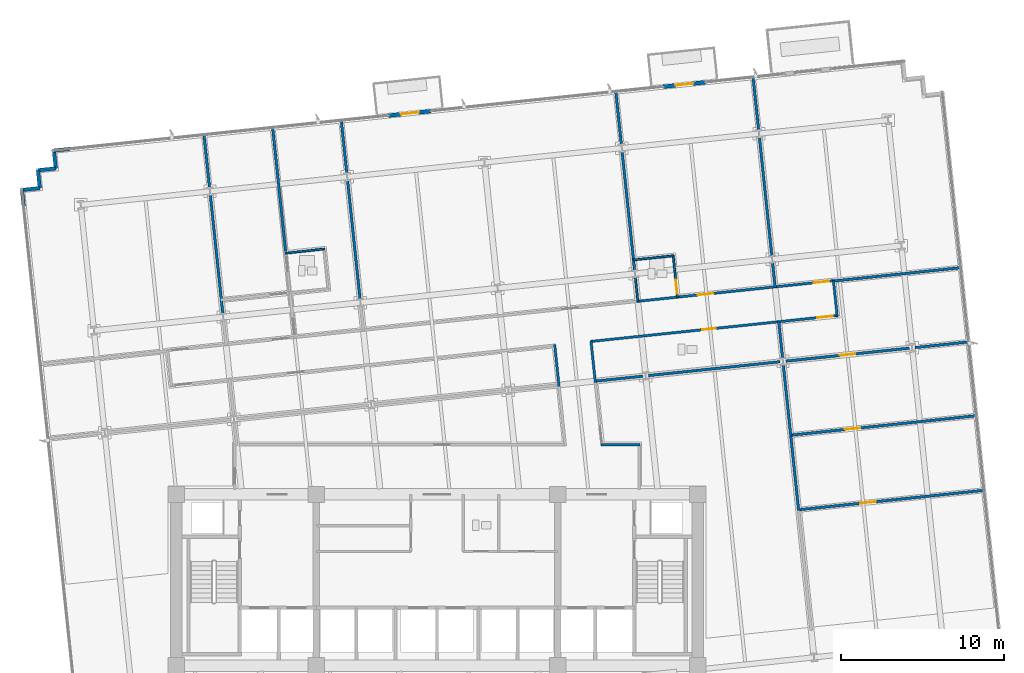
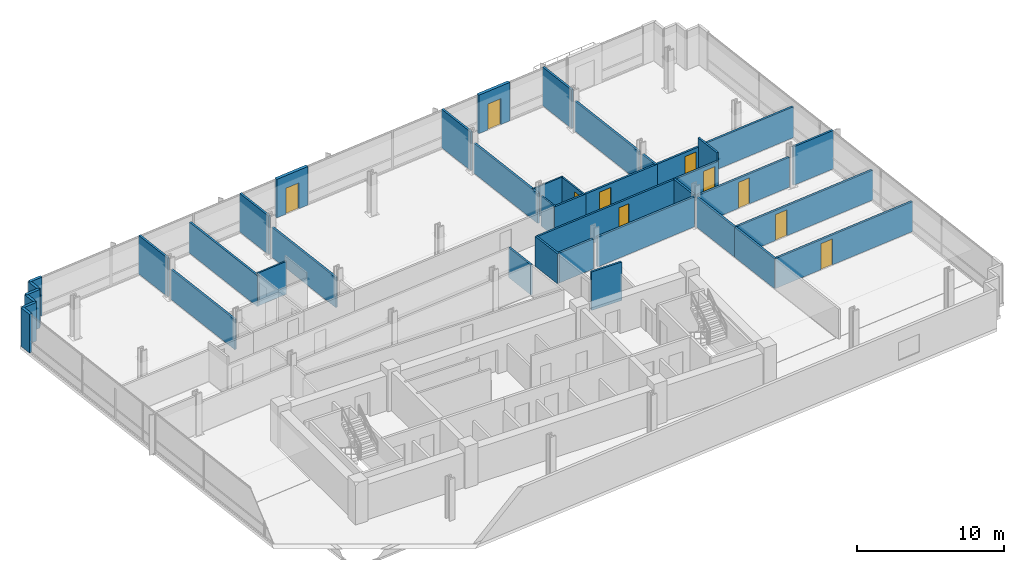
# One storey, part 15 of 21: 41 walls, 10 doors, 10 openings.
"""IFC4 building model written with IfcOpenShell, lengths in metres."""

from ifc_helpers import new_model, si_unit, direction, frame, frame_2d, origin, place, context, subcontext, project, spatial, rectangle, extrude, material, layer, layer_set, type_object, element, fill, save


model = new_model("IFC4")

# Units and contexts
model_context = context("Model", 3, precision=1e-05, world=origin(), true_north=direction((0.0, 1.0)))
body_context = subcontext(model_context, "Body", "Model", "MODEL_VIEW")
ifc_project = project(units=[si_unit("LENGTHUNIT", "METRE"), si_unit("AREAUNIT", "SQUARE_METRE"), si_unit("VOLUMEUNIT", "CUBIC_METRE"), si_unit("PLANEANGLEUNIT", "RADIAN"), si_unit("MASSUNIT", "GRAM", prefix="KILO")], contexts=[model_context])

# Site, building, storey
site_placement = place(None, origin())
site = spatial("IfcSite", under=ifc_project, at=site_placement, CompositionType="ELEMENT")
building_placement = place(site_placement, origin())
building = spatial("IfcBuilding", under=site, at=building_placement, Name="Solmavex Isthmus Hotel", CompositionType="ELEMENT")
storey_placement = place(building_placement, frame((0.0, 0.0, 106.35009765625)))
storey = spatial("IfcBuildingStorey", under=building, at=storey_placement, Name="L28", CompositionType="ELEMENT", Elevation=106.35009765625)

# Wall, opening, door
ifc_material_1 = material(Name="Precast Concrete C40/50", Category="concrete")
ifc_layer_1 = layer(ifc_material_1, 0.25)
ifc_layer_set_1 = layer_set([ifc_layer_1], Name="Precast Concrete C40/50")
wall_type_1 = type_object("IfcWallType", Name="EW-TWR-250", PredefinedType="STANDARD", material=ifc_layer_set_1)
wall_1_placement = place(storey_placement, frame((-2.95458984375, 20.744140625, 0.0), z_axis=(0.0, 0.0, 1.0), x_axis=(0.994523446942, 0.104513699976, 0.0)))
wall_1 = element("IfcWall", 1, at=wall_1_placement, inside=storey, type_object=wall_type_1, Name="Exterior Balcony Door Wall L28-2", PredefinedType="STANDARD", context=body_context, shape_type="SweptSolid", body=[
    extrude(rectangle(XDim=2.599853515625, YDim=0.239990234375, at=frame_2d((1.2998046875, 0.0))), origin(), (0.0, 0.0, 1.0), 3.18994140625),
])
opening_1_placement = place(wall_1_placement, frame((0.75, 0.0, 0.0)))
opening_1 = element("IfcOpeningElement", 2, at=opening_1_placement, cuts=wall_1, Name="Opening ED-02", PredefinedType="OPENING", context=body_context, shape_type="SweptSolid", body=[
    extrude(rectangle(XDim=1.10009765625, YDim=2.14990234375, at=frame_2d((0.550048828125, 1.074951171875))), frame((0.0, 0.1298828125, 0.0), z_axis=(0.0, -1.0, 0.0), x_axis=(1.0, 0.0, 0.0)), (0.0, 0.0, 1.0), 0.260009765625),
])
ifc_material_2 = material(Name="Aluminium alloy 6063-T6", Category="aluminium")
door_type_1 = type_object("IfcDoorType", Name="EDR-BALC-1100", OperationType="NOTDEFINED", PredefinedType="DOOR", material=ifc_material_2)
door_1_placement = place(opening_1_placement, origin())
door_1 = element("IfcDoor", 3, at=door_1_placement, inside=storey, type_object=door_type_1, Name="Balcony & Terrace Glazed Door L28-2", OperationType="SINGLE_SWING_RIGHT", OverallHeight=2.14990234375, OverallWidth=1.10009765625, PredefinedType="DOOR", context=body_context, shape_type="SweptSolid", body=[
    extrude(rectangle(XDim=1.10009765625, YDim=2.14990234375, at=frame_2d((0.550048828125, 1.074951171875))), frame((0.0, 0.02490234375, 0.0), z_axis=(0.0, -1.0, 0.0), x_axis=(1.0, 0.0, 0.0)), (0.0, 0.0, 1.0), 0.050048828125),
])
fill(opening_1, door_1)

wall_2_placement = place(storey_placement, frame((13.884765625, 22.513916015625, 0.0), z_axis=(0.0, 0.0, 1.0), x_axis=(0.994523446942, 0.104513699976, 0.0)))
wall_2 = element("IfcWall", 4, at=wall_2_placement, inside=storey, type_object=wall_type_1, Name="Exterior Balcony Door Wall L28-3", PredefinedType="STANDARD", context=body_context, shape_type="SweptSolid", body=[
    extrude(rectangle(XDim=2.599853515625, YDim=0.239990234375, at=frame_2d((1.2998046875, 0.0))), origin(), (0.0, 0.0, 1.0), 3.18994140625),
])
opening_2_placement = place(wall_2_placement, frame((0.75, 0.0, 0.0)))
opening_2 = element("IfcOpeningElement", 5, at=opening_2_placement, cuts=wall_2, Name="Opening ED-02", PredefinedType="OPENING", context=body_context, shape_type="SweptSolid", body=[
    extrude(rectangle(XDim=1.10009765625, YDim=2.14990234375, at=frame_2d((0.550048828125, 1.074951171875))), frame((0.0, 0.1298828125, 0.0), z_axis=(0.0, -1.0, 0.0), x_axis=(1.0, 0.0, 0.0)), (0.0, 0.0, 1.0), 0.260009765625),
])
door_2_placement = place(opening_2_placement, origin())
door_2 = element("IfcDoor", 6, at=door_2_placement, inside=storey, type_object=door_type_1, Name="Balcony & Terrace Glazed Door L28-3", OperationType="SINGLE_SWING_LEFT", OverallHeight=2.14990234375, OverallWidth=1.10009765625, PredefinedType="DOOR", context=body_context, shape_type="SweptSolid", body=[
    extrude(rectangle(XDim=1.10009765625, YDim=2.14990234375, at=frame_2d((0.550048828125, 1.074951171875))), frame((0.0, 0.02490234375, 0.0), z_axis=(0.0, -1.0, 0.0), x_axis=(1.0, 0.0, 0.0)), (0.0, 0.0, 1.0), 0.050048828125),
])
fill(opening_2, door_2)

# Walls
wall_3_placement = place(storey_placement, frame((-25.35400390625, 15.1923828125, 0.0), z_axis=(0.0, 0.0, 1.0), x_axis=(-0.104556418955, 0.99451895671, 0.0)))
element("IfcWall", 7, at=wall_3_placement, inside=storey, type_object=wall_type_1, Name="Serrated Corner Facade Panel L28-07", PredefinedType="STANDARD", context=body_context, shape_type="SweptSolid", body=[
    extrude(rectangle(XDim=0.989990234375, YDim=0.219970703125, at=frame_2d((0.4951171875, 0.0))), origin(), (0.0, 0.0, 1.0), 3.18994140625),
])
wall_4_placement = place(storey_placement, frame((-25.45751953125, 16.177001953125, 0.0), z_axis=(0.0, 0.0, 1.0), x_axis=(0.994521251134, 0.104534592565, 0.0)))
element("IfcWall", 8, at=wall_4_placement, inside=storey, type_object=wall_type_1, Name="Serrated Corner Facade Panel L28-08", PredefinedType="STANDARD", context=body_context, shape_type="SweptSolid", body=[
    extrude(rectangle(XDim=1.10009765625, YDim=0.219970703125, at=frame_2d((0.550048828125, 0.0))), origin(), (0.0, 0.0, 1.0), 3.18994140625),
])
wall_5_placement = place(storey_placement, frame((-24.363525390625, 16.2919921875, 0.0), z_axis=(0.0, 0.0, 1.0), x_axis=(-0.104557671117, 0.994518825066, 0.0)))
element("IfcWall", 9, at=wall_5_placement, inside=storey, type_object=wall_type_1, Name="Serrated Corner Facade Panel L28-09", PredefinedType="STANDARD", context=body_context, shape_type="SweptSolid", body=[
    extrude(rectangle(XDim=1.099853515625, YDim=0.219970703125, at=frame_2d((0.5498046875, 0.0))), origin(), (0.0, 0.0, 1.0), 3.18994140625),
])
for number, where, z_axis, x_axis, name in (
    (10, (-24.478515625, 17.3857421875, 0.0), (0.0, 0.0, 1.0), (0.994521251134, 0.104534592565, 0.0), "Serrated Corner Facade Panel L28-10"),
    (11, (-23.384521484375, 17.500732421875, 0.0), (0.0, 0.0, 1.0), (-0.104534592565, 0.994521251134, 0.0), "Serrated Corner Facade Panel L28-11"),
):
    element("IfcWall", number, at=place(storey_placement, frame(where, z_axis=z_axis, x_axis=x_axis)), inside=storey, type_object=wall_type_1, Name=name, PredefinedType="STANDARD", context=body_context, shape_type="SweptSolid", body=[
        extrude(rectangle(XDim=1.10009765625, YDim=0.219970703125, at=frame_2d((0.550048828125, 0.0))), origin(), (0.0, 0.0, 1.0), 3.18994140625),
    ])
wall_6_placement = place(storey_placement, frame((-23.49951171875, 18.5947265625, 0.0), z_axis=(0.0, 0.0, 1.0), x_axis=(0.99451895671, 0.104556418955, 0.0)))
element("IfcWall", 12, at=wall_6_placement, inside=storey, type_object=wall_type_1, Name="Serrated Corner Facade Panel L28-12", PredefinedType="STANDARD", context=body_context, shape_type="SweptSolid", body=[
    extrude(rectangle(XDim=0.989990234375, YDim=0.219970703125, at=frame_2d((0.4951171875, 0.0))), origin(), (0.0, 0.0, 1.0), 3.18994140625),
])
ifc_material_3 = material(Name="Gypsum plasterboard lining", Category="gypsum")
ifc_layer_2 = layer(ifc_material_3, 0.159912109375)
ifc_layer_set_2 = layer_set([ifc_layer_2], Name="Gypsum plasterboard lining")
wall_type_2 = type_object("IfcWallType", Name="IW-COMP-160", PredefinedType="PARTITIONING", material=ifc_layer_set_2)
wall_7_placement = place(storey_placement, frame((-13.908935546875, 15.91650390625, 0.0), z_axis=(0.0, 0.0, 1.0), x_axis=(0.104523341075, -0.994522433719, 0.0)))
element("IfcWall", 13, at=wall_7_placement, inside=storey, type_object=wall_type_2, Name="Interior Partition Wall W-L28-P022", PredefinedType="PARTITIONING", context=body_context, shape_type="SweptSolid", body=[
    extrude(rectangle(XDim=7.399658203125, YDim=0.159912109375, at=frame_2d((3.69970703125, 0.0))), origin(), (0.0, 0.0, 1.0), 2.4794921875),
])
wall_8_placement = place(storey_placement, frame((-14.29541015625, 19.59228515625, 0.0), z_axis=(0.0, 0.0, 1.0), x_axis=(0.10455555946, -0.99451904707, 0.0)))
element("IfcWall", 14, at=wall_8_placement, inside=storey, type_object=wall_type_2, Name="Interior Partition Wall W-L28-P024", PredefinedType="PARTITIONING", context=body_context, shape_type="SweptSolid", body=[
    extrude(rectangle(XDim=3.34375, YDim=0.159912109375, at=frame_2d((1.671875, 0.0))), origin(), (0.0, 0.0, 1.0), 3.18994140625),
])
wall_9_placement = place(storey_placement, frame((-10.08544921875, 20.034912109375, 0.0), z_axis=(0.0, 0.0, 1.0), x_axis=(0.104523139328, -0.994522454922, 0.0)))
element("IfcWall", 15, at=wall_9_placement, inside=storey, type_object=wall_type_2, Name="Interior Partition Wall W-L28-P029", PredefinedType="PARTITIONING", context=body_context, shape_type="SweptSolid", body=[
    extrude(rectangle(XDim=7.862060546875, YDim=0.159912109375, at=frame_2d((3.93115234375, 0.0))), origin(), (0.0, 0.0, 1.0), 2.55322265625),
])
wall_10_placement = place(storey_placement, frame((-5.875732421875, 20.477294921875, 0.0), z_axis=(0.0, 0.0, 1.0), x_axis=(0.10455555946, -0.99451904707, 0.0)))
element("IfcWall", 16, at=wall_10_placement, inside=storey, type_object=wall_type_2, Name="Interior Partition Wall W-L28-P034", PredefinedType="PARTITIONING", context=body_context, shape_type="SweptSolid", body=[
    extrude(rectangle(XDim=3.34375, YDim=0.159912109375, at=frame_2d((1.671875, 0.0))), origin(), (0.0, 0.0, 1.0), 3.18994140625),
])
wall_11_placement = place(storey_placement, frame((-5.4892578125, 16.80126953125, 0.0), z_axis=(0.0, 0.0, 1.0), x_axis=(0.104526770886, -0.994522073243, 0.0)))
element("IfcWall", 17, at=wall_11_placement, inside=storey, type_object=wall_type_2, Name="Interior Partition Wall W-L28-P035", PredefinedType="PARTITIONING", context=body_context, shape_type="SweptSolid", body=[
    extrude(rectangle(XDim=7.3994140625, YDim=0.159912109375, at=frame_2d((3.69970703125, 0.0))), origin(), (0.0, 0.0, 1.0), 2.4794921875),
])
wall_12_placement = place(storey_placement, frame((10.963623046875, 22.2470703125, 0.0), z_axis=(0.0, 0.0, 1.0), x_axis=(0.10448334315, -0.994526636649, 0.0)))
element("IfcWall", 18, at=wall_12_placement, inside=storey, type_object=wall_type_2, Name="Interior Partition Wall W-L28-P037", PredefinedType="PARTITIONING", context=body_context, shape_type="SweptSolid", body=[
    extrude(rectangle(XDim=3.34375, YDim=0.159912109375, at=frame_2d((1.671875, 0.0))), origin(), (0.0, 0.0, 1.0), 3.18994140625),
])
wall_13_placement = place(storey_placement, frame((11.349853515625, 18.5712890625, 0.0), z_axis=(0.0, 0.0, 1.0), x_axis=(0.104523341075, -0.994522433719, 0.0)))
element("IfcWall", 19, at=wall_13_placement, inside=storey, type_object=wall_type_2, Name="Interior Partition Wall W-L28-P038", PredefinedType="PARTITIONING", context=body_context, shape_type="SweptSolid", body=[
    extrude(rectangle(XDim=7.399658203125, YDim=0.159912109375, at=frame_2d((3.69970703125, 0.0))), origin(), (0.0, 0.0, 1.0), 2.4794921875),
])
wall_14_placement = place(storey_placement, frame((19.383056640625, 23.132080078125, 0.0), z_axis=(0.0, 0.0, 1.0), x_axis=(0.10455555946, -0.99451904707, 0.0)))
element("IfcWall", 20, at=wall_14_placement, inside=storey, type_object=wall_type_2, Name="Interior Partition Wall W-L28-P042", PredefinedType="PARTITIONING", context=body_context, shape_type="SweptSolid", body=[
    extrude(rectangle(XDim=3.34375, YDim=0.159912109375, at=frame_2d((1.671875, 0.0))), origin(), (0.0, 0.0, 1.0), 3.18994140625),
])
wall_15_placement = place(storey_placement, frame((19.76953125, 19.456298828125, 0.0), z_axis=(0.0, 0.0, 1.0), x_axis=(0.104523341075, -0.994522433719, 0.0)))
element("IfcWall", 21, at=wall_15_placement, inside=storey, type_object=wall_type_2, Name="Interior Partition Wall W-L28-P043", PredefinedType="PARTITIONING", context=body_context, shape_type="SweptSolid", body=[
    extrude(rectangle(XDim=7.399658203125, YDim=0.159912109375, at=frame_2d((3.69970703125, 0.0))), origin(), (0.0, 0.0, 1.0), 2.4794921875),
])
wall_16_placement = place(storey_placement, frame((20.579833984375, 11.74658203125, 0.0), z_axis=(0.0, 0.0, 1.0), x_axis=(0.104578999325, -0.994516582516, 0.0)))
element("IfcWall", 22, at=wall_16_placement, inside=storey, type_object=wall_type_2, Name="Interior Partition Wall W-L28-P044", PredefinedType="PARTITIONING", context=body_context, shape_type="SweptSolid", body=[
    extrude(rectangle(XDim=1.561767578125, YDim=0.159912109375, at=frame_2d((0.78076171875, 0.0))), origin(), (0.0, 0.0, 1.0), 2.4794921875),
])
wall_17_placement = place(storey_placement, frame((32.166015625, 11.4140625, 0.0), z_axis=(0.0, 0.0, 1.0), x_axis=(-0.994522987852, -0.104518068455, 0.0)))
element("IfcWall", 23, at=wall_17_placement, inside=storey, type_object=wall_type_2, Name="Interior Partition Wall W-L28-P045", PredefinedType="PARTITIONING", context=body_context, shape_type="SweptSolid", body=[
    extrude(rectangle(XDim=7.927978515625, YDim=0.159912109375, at=frame_2d((3.9638671875, 0.0))), origin(), (0.0, 0.0, 1.0), 2.55322265625),
])
wall_18_placement = place(storey_placement, frame((20.95947265625, 8.134765625, 0.0), z_axis=(0.0, 0.0, 1.0), x_axis=(0.104558463094, -0.994518741802, 0.0)))
element("IfcWall", 24, at=wall_18_placement, inside=storey, type_object=wall_type_2, Name="Interior Partition Wall W-L28-P046", PredefinedType="PARTITIONING", context=body_context, shape_type="SweptSolid", body=[
    extrude(rectangle(XDim=2.31396484375, YDim=0.159912109375, at=frame_2d((1.156982421875, 0.0))), origin(), (0.0, 0.0, 1.0), 2.4794921875),
])
wall_19_placement = place(storey_placement, frame((12.625, 4.755126953125, 0.0), z_axis=(0.0, 0.0, 1.0), x_axis=(-0.994518476722, -0.1045609844, 0.0)))
element("IfcWall", 25, at=wall_19_placement, inside=storey, type_object=wall_type_2, Name="Interior Partition Wall W-L28-P047", PredefinedType="PARTITIONING", context=body_context, shape_type="SweptSolid", body=[
    extrude(rectangle(XDim=2.97705078125, YDim=0.159912109375, at=frame_2d((1.488525390625, 0.0))), origin(), (0.0, 0.0, 1.0), 2.4794921875),
])
wall_20_placement = place(storey_placement, frame((21.04443359375, 5.639892578125, 0.0), z_axis=(0.0, 0.0, 1.0), x_axis=(-0.994521269983, -0.104534413238, 0.0)))
element("IfcWall", 26, at=wall_20_placement, inside=storey, type_object=wall_type_2, Name="Interior Partition Wall W-L28-P048", PredefinedType="PARTITIONING", context=body_context, shape_type="SweptSolid", body=[
    extrude(rectangle(XDim=8.113525390625, YDim=0.159912109375, at=frame_2d((4.056640625, 0.0))), origin(), (0.0, 0.0, 1.0), 2.4794921875),
])

# Wall, opening, door
wall_21_placement = place(storey_placement, frame((28.96875, 6.472900390625, 0.0), z_axis=(0.0, 0.0, 1.0), x_axis=(-0.994520374185, -0.104542935343, 0.0)))
wall_21 = element("IfcWall", 27, at=wall_21_placement, inside=storey, type_object=wall_type_2, Name="Interior Partition Wall W-L28-P052", PredefinedType="PARTITIONING", context=body_context, shape_type="SweptSolid", body=[
    extrude(rectangle(XDim=7.615478515625, YDim=0.159912109375, at=frame_2d((3.8076171875, 0.0))), origin(), (0.0, 0.0, 1.0), 2.4794921875),
])
opening_3_placement = place(wall_21_placement, frame((3.332763671875, 0.0, 0.0)))
opening_3 = element("IfcOpeningElement", 28, at=opening_3_placement, cuts=wall_21, Name="Opening ID-C095", PredefinedType="OPENING", context=body_context, shape_type="SweptSolid", body=[
    extrude(rectangle(XDim=0.949951171875, YDim=2.14990234375, at=frame_2d((0.47509765625, 1.074951171875))), frame((0.0, 0.08984375, 0.0), z_axis=(0.0, -1.0, 0.0), x_axis=(1.0, 0.0, 0.0)), (0.0, 0.0, 1.0), 0.179931640625),
])
ifc_material_4 = material(Name="Hardwood timber", Category="wood")
door_type_2 = type_object("IfcDoorType", Name="IDR-FD60-0950", OperationType="NOTDEFINED", PredefinedType="DOOR", material=ifc_material_4)
door_3_placement = place(opening_3_placement, frame((0.949951171875, 0.0, 0.0), z_axis=(0.0, 0.0, 1.0), x_axis=(-1.0, 0.0, 0.0)))
door_3 = element("IfcDoor", 29, at=door_3_placement, inside=storey, type_object=door_type_2, Name="Corporate Briefing Office Door L28-14", OperationType="SINGLE_SWING_RIGHT", OverallHeight=2.14990234375, OverallWidth=0.949951171875, PredefinedType="DOOR", context=body_context, shape_type="SweptSolid", body=[
    extrude(rectangle(XDim=0.949951171875, YDim=2.14990234375, at=frame_2d((0.47509765625, 1.074951171875))), frame((0.0, 0.02490234375, 0.0), z_axis=(0.0, -1.0, 0.0), x_axis=(1.0, 0.0, 0.0)), (0.0, 0.0, 1.0), 0.050048828125),
])
fill(opening_3, door_3)

# Wall
wall_22_placement = place(storey_placement, frame((32.644775390625, 6.859130859375, 0.0), z_axis=(0.0, 0.0, 1.0), x_axis=(-0.994526636649, -0.10448334315, 0.0)))
element("IfcWall", 30, at=wall_22_placement, inside=storey, type_object=wall_type_2, Name="Interior Partition Wall W-L28-P053", PredefinedType="PARTITIONING", context=body_context, shape_type="SweptSolid", body=[
    extrude(rectangle(XDim=3.34375, YDim=0.159912109375, at=frame_2d((1.671875, 0.0))), origin(), (0.0, 0.0, 1.0), 3.18994140625),
])

# Wall, opening, door
wall_23_placement = place(storey_placement, frame((33.120361328125, 2.334228515625, 0.0), z_axis=(0.0, 0.0, 1.0), x_axis=(-0.994521223619, -0.104534854339, 0.0)))
wall_23 = element("IfcWall", 31, at=wall_23_placement, inside=storey, type_object=wall_type_2, Name="Interior Partition Wall W-L28-P057", PredefinedType="PARTITIONING", context=body_context, shape_type="SweptSolid", body=[
    extrude(rectangle(XDim=11.528076171875, YDim=0.159912109375, at=frame_2d((5.76416015625, 0.0))), origin(), (0.0, 0.0, 1.0), 2.4794921875),
])
opening_4_placement = place(wall_23_placement, frame((7.21240234375, 0.0, 0.0)))
opening_4 = element("IfcOpeningElement", 32, at=opening_4_placement, cuts=wall_23, Name="Opening ID-C095", PredefinedType="OPENING", context=body_context, shape_type="SweptSolid", body=[
    extrude(rectangle(XDim=0.949951171875, YDim=2.14990234375, at=frame_2d((0.47509765625, 1.074951171875))), frame((0.0, 0.08984375, 0.0), z_axis=(0.0, -1.0, 0.0), x_axis=(1.0, 0.0, 0.0)), (0.0, 0.0, 1.0), 0.179931640625),
])
door_4_placement = place(opening_4_placement, origin())
door_4 = element("IfcDoor", 33, at=door_4_placement, inside=storey, type_object=door_type_2, Name="Corporate Briefing Office Door L28-15", OperationType="SINGLE_SWING_LEFT", OverallHeight=2.14990234375, OverallWidth=0.949951171875, PredefinedType="DOOR", context=body_context, shape_type="SweptSolid", body=[
    extrude(rectangle(XDim=0.949951171875, YDim=2.14990234375, at=frame_2d((0.47509765625, 1.074951171875))), frame((0.0, 0.02490234375, 0.0), z_axis=(0.0, -1.0, 0.0), x_axis=(1.0, 0.0, 0.0)), (0.0, 0.0, 1.0), 0.050048828125),
])
fill(opening_4, door_4)

# Wall
wall_24_placement = place(storey_placement, frame((21.699462890625, 1.093505859375, 0.0), z_axis=(0.0, 0.0, 1.0), x_axis=(-0.104540819113, 0.994520596639, 0.0)))
element("IfcWall", 34, at=wall_24_placement, inside=storey, type_object=wall_type_2, Name="Interior Partition Wall W-L28-P058", PredefinedType="PARTITIONING", context=body_context, shape_type="SweptSolid", body=[
    extrude(rectangle(XDim=4.413818359375, YDim=0.159912109375, at=frame_2d((2.20703125, 0.0))), origin(), (0.0, 0.0, 1.0), 2.4794921875),
])

# Wall, opening, door
wall_25_placement = place(storey_placement, frame((33.601318359375, -2.24072265625, 0.0), z_axis=(0.0, 0.0, 1.0), x_axis=(-0.994521223619, -0.104534854339, 0.0)))
wall_25 = element("IfcWall", 35, at=wall_25_placement, inside=storey, type_object=wall_type_2, Name="Interior Partition Wall W-L28-P059", PredefinedType="PARTITIONING", context=body_context, shape_type="SweptSolid", body=[
    extrude(rectangle(XDim=11.528076171875, YDim=0.159912109375, at=frame_2d((5.76416015625, 0.0))), origin(), (0.0, 0.0, 1.0), 2.4794921875),
])
opening_5_placement = place(wall_25_placement, frame((6.7314453125, 0.0, 0.0)))
opening_5 = element("IfcOpeningElement", 36, at=opening_5_placement, cuts=wall_25, Name="Opening ID-C095", PredefinedType="OPENING", context=body_context, shape_type="SweptSolid", body=[
    extrude(rectangle(XDim=0.949951171875, YDim=2.14990234375, at=frame_2d((0.47509765625, 1.074951171875))), frame((0.0, 0.08984375, 0.0), z_axis=(0.0, -1.0, 0.0), x_axis=(1.0, 0.0, 0.0)), (0.0, 0.0, 1.0), 0.179931640625),
])
door_5_placement = place(opening_5_placement, frame((0.949951171875, 0.0, 0.0), z_axis=(0.0, 0.0, 1.0), x_axis=(-1.0, 0.0, 0.0)))
door_5 = element("IfcDoor", 37, at=door_5_placement, inside=storey, type_object=door_type_2, Name="Corporate Briefing Office Door L28-18", OperationType="SINGLE_SWING_RIGHT", OverallHeight=2.14990234375, OverallWidth=0.949951171875, PredefinedType="DOOR", context=body_context, shape_type="SweptSolid", body=[
    extrude(rectangle(XDim=0.949951171875, YDim=2.14990234375, at=frame_2d((0.47509765625, 1.074951171875))), frame((0.0, 0.02490234375, 0.0), z_axis=(0.0, -1.0, 0.0), x_axis=(1.0, 0.0, 0.0)), (0.0, 0.0, 1.0), 0.050048828125),
])
fill(opening_5, door_5)

# Wall
wall_26_placement = place(storey_placement, frame((22.180419921875, -3.481201171875, 0.0), z_axis=(0.0, 0.0, 1.0), x_axis=(-0.104543574031, 0.994520307047, 0.0)))
element("IfcWall", 38, at=wall_26_placement, inside=storey, type_object=wall_type_2, Name="Interior Partition Wall W-L28-P060", PredefinedType="PARTITIONING", context=body_context, shape_type="SweptSolid", body=[
    extrude(rectangle(XDim=4.679931640625, YDim=0.159912109375, at=frame_2d((2.33984375, 0.0))), origin(), (0.0, 0.0, 1.0), 2.4794921875),
])

# Wall, opening, door
ifc_layer_3 = layer(ifc_material_3, 0.14990234375)
ifc_layer_set_3 = layer_set([ifc_layer_3], Name="Gypsum plasterboard lining")
wall_type_3 = type_object("IfcWallType", Name="IW-CORR-150", PredefinedType="PARTITIONING", material=ifc_layer_set_3)
wall_27_placement = place(storey_placement, frame((14.67431640625, 9.595703125, 0.0), z_axis=(0.0, 0.0, 1.0), x_axis=(0.994521891766, 0.104528497542, 0.0)))
wall_27 = element("IfcWall", 39, at=wall_27_placement, inside=storey, type_object=wall_type_3, Name="Interior Partition Wall W-L28-P005", PredefinedType="PARTITIONING", context=body_context, shape_type="SweptSolid", body=[
    extrude(rectangle(XDim=6.18017578125, YDim=0.14990234375, at=frame_2d((3.090087890625, 0.0))), origin(), (0.0, 0.0, 1.0), 2.4794921875),
])
opening_6_placement = place(wall_27_placement, frame((1.333984375, 0.0, 0.0)))
opening_6 = element("IfcOpeningElement", 40, at=opening_6_placement, cuts=wall_27, Name="Opening ID-C095", PredefinedType="OPENING", context=body_context, shape_type="SweptSolid", body=[
    extrude(rectangle(XDim=0.949951171875, YDim=2.14990234375, at=frame_2d((0.47509765625, 1.074951171875))), frame((0.0, 0.0849609375, 0.0), z_axis=(0.0, -1.0, 0.0), x_axis=(1.0, 0.0, 0.0)), (0.0, 0.0, 1.0), 0.169921875),
])
door_6_placement = place(opening_6_placement, frame((0.949951171875, 0.0, 0.0), z_axis=(0.0, 0.0, 1.0), x_axis=(-1.0, 0.0, 0.0)))
door_6 = element("IfcDoor", 41, at=door_6_placement, inside=storey, type_object=door_type_2, Name="Ambassador Suite Door L28-07", OperationType="SINGLE_SWING_LEFT", OverallHeight=2.14990234375, OverallWidth=0.949951171875, PredefinedType="DOOR", context=body_context, shape_type="SweptSolid", body=[
    extrude(rectangle(XDim=0.949951171875, YDim=2.14990234375, at=frame_2d((0.47509765625, 1.074951171875))), frame((0.0, 0.02490234375, 0.0), z_axis=(0.0, -1.0, 0.0), x_axis=(1.0, 0.0, 0.0)), (0.0, 0.0, 1.0), 0.050048828125),
])
fill(opening_6, door_6)

# Wall
wall_28_placement = place(storey_placement, frame((12.23779296875, 9.339599609375, 0.0), z_axis=(0.0, 0.0, 1.0), x_axis=(0.994523350694, 0.104514615837, 0.0)))
element("IfcWall", 42, at=wall_28_placement, inside=storey, type_object=wall_type_3, Name="Interior Partition Wall W-L28-P006", PredefinedType="PARTITIONING", context=body_context, shape_type="SweptSolid", body=[
    extrude(rectangle(XDim=2.614013671875, YDim=0.14990234375, at=frame_2d((1.30712890625, 0.0))), origin(), (0.0, 0.0, 1.0), 2.4794921875),
])

# Wall, opening, door
wall_29_placement = place(storey_placement, frame((20.657470703125, 10.224609375, 0.0), z_axis=(0.0, 0.0, 1.0), x_axis=(0.994518385036, 0.104561856457, 0.0)))
wall_29 = element("IfcWall", 43, at=wall_29_placement, inside=storey, type_object=wall_type_3, Name="Interior Partition Wall W-L28-P007", PredefinedType="PARTITIONING", context=body_context, shape_type="SweptSolid", body=[
    extrude(rectangle(XDim=3.721923828125, YDim=0.14990234375, at=frame_2d((1.86083984375, 0.0))), origin(), (0.0, 0.0, 1.0), 2.4794921875),
])
opening_7_placement = place(wall_29_placement, frame((2.456787109375, 0.0, 0.0)))
opening_7 = element("IfcOpeningElement", 44, at=opening_7_placement, cuts=wall_29, Name="Opening ID-C095", PredefinedType="OPENING", context=body_context, shape_type="SweptSolid", body=[
    extrude(rectangle(XDim=0.949951171875, YDim=2.14990234375, at=frame_2d((0.47509765625, 1.074951171875))), frame((0.0, 0.0849609375, 0.0), z_axis=(0.0, -1.0, 0.0), x_axis=(1.0, 0.0, 0.0)), (0.0, 0.0, 1.0), 0.169921875),
])
door_7_placement = place(opening_7_placement, frame((0.949951171875, 0.0, 0.0), z_axis=(0.0, 0.0, 1.0), x_axis=(-1.0, 0.0, 0.0)))
door_7 = element("IfcDoor", 45, at=door_7_placement, inside=storey, type_object=door_type_2, Name="Executive Hospitality Lounge Door L28-09", OperationType="SINGLE_SWING_LEFT", OverallHeight=2.14990234375, OverallWidth=0.949951171875, PredefinedType="DOOR", context=body_context, shape_type="SweptSolid", body=[
    extrude(rectangle(XDim=0.949951171875, YDim=2.14990234375, at=frame_2d((0.47509765625, 1.074951171875))), frame((0.0, 0.02490234375, 0.0), z_axis=(0.0, -1.0, 0.0), x_axis=(1.0, 0.0, 0.0)), (0.0, 0.0, 1.0), 0.050048828125),
])
fill(opening_7, door_7)

wall_30_placement = place(storey_placement, frame((21.045166015625, 8.103515625, 0.0), z_axis=(0.0, 0.0, 1.0), x_axis=(-0.994521447183, -0.104532727376, 0.0)))
wall_30 = element("IfcWall", 46, at=wall_30_placement, inside=storey, type_object=wall_type_3, Name="Interior Partition Wall W-L28-P008", PredefinedType="PARTITIONING", context=body_context, shape_type="SweptSolid", body=[
    extrude(rectangle(XDim=11.701171875, YDim=0.14990234375, at=frame_2d((5.8505859375, 0.0))), origin(), (0.0, 0.0, 1.0), 2.4794921875),
])
opening_8_placement = place(wall_30_placement, frame((3.961181640625, 0.0, 0.0)))
opening_8 = element("IfcOpeningElement", 47, at=opening_8_placement, cuts=wall_30, Name="Opening ID-R085", PredefinedType="OPENING", context=body_context, shape_type="SweptSolid", body=[
    extrude(rectangle(XDim=0.85009765625, YDim=2.050048828125, at=frame_2d((0.425048828125, 1.02490234375))), frame((0.0, 0.0849609375, 0.0), z_axis=(0.0, -1.0, 0.0), x_axis=(1.0, 0.0, 0.0)), (0.0, 0.0, 1.0), 0.169921875),
])
ifc_material_5 = material(Name="Steel ASTM A500 Grade C", Category="steel")
door_type_3 = type_object("IfcDoorType", Name="IDR-FD60-0850", OperationType="NOTDEFINED", PredefinedType="DOOR", material=ifc_material_5)
door_8_placement = place(opening_8_placement, frame((0.85009765625, 0.0, 0.0), z_axis=(0.0, 0.0, 1.0), x_axis=(-1.0, 0.0, 0.0)))
door_8 = element("IfcDoor", 48, at=door_8_placement, inside=storey, type_object=door_type_3, Name="Public Restroom WC Door L28-10", OperationType="SINGLE_SWING_RIGHT", OverallHeight=2.050048828125, OverallWidth=0.85009765625, PredefinedType="DOOR", context=body_context, shape_type="SweptSolid", body=[
    extrude(rectangle(XDim=0.85009765625, YDim=2.050048828125, at=frame_2d((0.425048828125, 1.02490234375))), frame((0.0, 0.02490234375, 0.0), z_axis=(0.0, -1.0, 0.0), x_axis=(1.0, 0.0, 0.0)), (0.0, 0.0, 1.0), 0.050048828125),
])
fill(opening_8, door_8)

# Walls
wall_31_placement = place(storey_placement, frame((9.44384765625, 6.92431640625, 0.0), z_axis=(0.0, 0.0, 1.0), x_axis=(0.104511838358, -0.994523642576, 0.0)))
element("IfcWall", 49, at=wall_31_placement, inside=storey, type_object=wall_type_3, Name="Interior Partition Wall W-L28-P009", PredefinedType="PARTITIONING", context=body_context, shape_type="SweptSolid", body=[
    extrude(rectangle(XDim=2.572021484375, YDim=0.14990234375, at=frame_2d((1.2861328125, 0.0))), origin(), (0.0, 0.0, 1.0), 2.4794921875),
])
wall_32_placement = place(storey_placement, frame((24.317138671875, 10.62939453125, 0.0), z_axis=(0.0, 0.0, 1.0), x_axis=(0.104500773718, -0.994524805267, 0.0)))
element("IfcWall", 50, at=wall_32_placement, inside=storey, type_object=wall_type_3, Name="Interior Partition Wall W-L28-P012", PredefinedType="PARTITIONING", context=body_context, shape_type="SweptSolid", body=[
    extrude(rectangle(XDim=2.210205078125, YDim=0.14990234375, at=frame_2d((1.10498046875, 0.0))), origin(), (0.0, 0.0, 1.0), 3.18994140625),
])

# Wall, opening, door
wall_33_placement = place(storey_placement, frame((24.583740234375, 8.475341796875, 0.0), z_axis=(0.0, 0.0, 1.0), x_axis=(-0.994525920558, -0.104490159046, 0.0)))
wall_33 = element("IfcWall", 51, at=wall_33_placement, inside=storey, type_object=wall_type_3, Name="Interior Partition Wall W-L28-P013", PredefinedType="PARTITIONING", context=body_context, shape_type="SweptSolid", body=[
    extrude(rectangle(XDim=3.721923828125, YDim=0.14990234375, at=frame_2d((1.86083984375, 0.0))), origin(), (0.0, 0.0, 1.0), 2.4794921875),
])
opening_9_placement = place(wall_33_placement, frame((0.315185546875, 0.0, 0.0)))
opening_9 = element("IfcOpeningElement", 52, at=opening_9_placement, cuts=wall_33, Name="Opening ID-C095", PredefinedType="OPENING", context=body_context, shape_type="SweptSolid", body=[
    extrude(rectangle(XDim=0.949951171875, YDim=2.14990234375, at=frame_2d((0.47509765625, 1.074951171875))), frame((0.0, 0.0849609375, 0.0), z_axis=(0.0, -1.0, 0.0), x_axis=(1.0, 0.0, 0.0)), (0.0, 0.0, 1.0), 0.169921875),
])
door_9_placement = place(opening_9_placement, frame((0.949951171875, 0.0, 0.0), z_axis=(0.0, 0.0, 1.0), x_axis=(-1.0, 0.0, 0.0)))
door_9 = element("IfcDoor", 53, at=door_9_placement, inside=storey, type_object=door_type_2, Name="Vitality Fitness Studio Door L28-12", OperationType="SINGLE_SWING_RIGHT", OverallHeight=2.14990234375, OverallWidth=0.949951171875, PredefinedType="DOOR", context=body_context, shape_type="SweptSolid", body=[
    extrude(rectangle(XDim=0.949951171875, YDim=2.14990234375, at=frame_2d((0.47509765625, 1.074951171875))), frame((0.0, 0.02490234375, 0.0), z_axis=(0.0, -1.0, 0.0), x_axis=(1.0, 0.0, 0.0)), (0.0, 0.0, 1.0), 0.050048828125),
])
fill(opening_9, door_9)

# Walls
wall_34_placement = place(storey_placement, frame((7.485107421875, 4.13232421875, 0.0), z_axis=(0.0, 0.0, 1.0), x_axis=(-0.104605724594, 0.994513771841, 0.0)))
element("IfcWall", 54, at=wall_34_placement, inside=storey, type_object=wall_type_3, Name="Interior Partition Wall W-L28-P014", PredefinedType="PARTITIONING", context=body_context, shape_type="SweptSolid", body=[
    extrude(rectangle(XDim=2.572021484375, YDim=0.14990234375, at=frame_2d((1.2861328125, 0.0))), origin(), (0.0, 0.0, 1.0), 2.4794921875),
])
wall_35_placement = place(storey_placement, frame((10.073974609375, 0.550048828125, 0.0), z_axis=(0.0, 0.0, 1.0), x_axis=(1.0, 0.0, 0.0)))
element("IfcWall", 55, at=wall_35_placement, inside=storey, type_object=wall_type_3, Name="Interior Partition Wall W-L28-P020", PredefinedType="PARTITIONING", context=body_context, shape_type="SweptSolid", body=[
    extrude(rectangle(XDim=2.365966796875, YDim=0.14990234375, at=frame_2d((1.18310546875, 0.0))), origin(), (0.0, 0.0, 1.0), 3.18994140625),
])
ifc_layer_4 = layer(ifc_material_3, 0.1201171875)
ifc_layer_set_4 = layer_set([ifc_layer_4], Name="Gypsum plasterboard lining")
wall_type_4 = type_object("IfcWallType", Name="IW-PART-120", PredefinedType="PARTITIONING", material=ifc_layer_set_4)
wall_36_placement = place(storey_placement, frame((-6.896484375, 12.557373046875, 0.0), z_axis=(0.0, 0.0, 1.0), x_axis=(-0.994073388392, -0.108711078051, 0.0)))
element("IfcWall", 56, at=wall_36_placement, inside=storey, type_object=wall_type_4, Name="Interior Partition Wall W-L28-P033", PredefinedType="PARTITIONING", context=body_context, shape_type="SweptSolid", body=[
    extrude(rectangle(XDim=2.429931640625, YDim=0.1201171875, at=frame_2d((1.21484375, 0.0))), origin(), (0.0, 0.0, 1.0), 2.718017578125),
])
wall_37_placement = place(storey_placement, frame((12.16015625, 10.86181640625, 0.0), z_axis=(0.0, 0.0, 1.0), x_axis=(0.104562743548, -0.994518291768, 0.0)))
element("IfcWall", 57, at=wall_37_placement, inside=storey, type_object=wall_type_4, Name="Interior Partition Wall W-L28-P039", PredefinedType="PARTITIONING", context=body_context, shape_type="SweptSolid", body=[
    extrude(rectangle(XDim=1.56201171875, YDim=0.1201171875, at=frame_2d((0.781005859375, 0.0))), origin(), (0.0, 0.0, 1.0), 2.4794921875),
])

# Wall, opening, door
wall_38_placement = place(storey_placement, frame((14.760009765625, 9.564453125, 0.0), z_axis=(0.0, 0.0, 1.0), x_axis=(-0.104520496269, 0.994522732701, 0.0)))
wall_38 = element("IfcWall", 58, at=wall_38_placement, inside=storey, type_object=wall_type_4, Name="Interior Partition Wall W-L28-P040", PredefinedType="PARTITIONING", context=body_context, shape_type="SweptSolid", body=[
    extrude(rectangle(XDim=2.630126953125, YDim=0.1201171875, at=frame_2d((1.31494140625, 0.0))), origin(), (0.0, 0.0, 1.0), 2.4794921875),
])
opening_10_placement = place(wall_38_placement, frame((0.247314453125, 0.0, 0.0)))
opening_10 = element("IfcOpeningElement", 59, at=opening_10_placement, cuts=wall_38, Name="Opening ID-U085", PredefinedType="OPENING", context=body_context, shape_type="SweptSolid", body=[
    extrude(rectangle(XDim=0.85009765625, YDim=2.10009765625, at=frame_2d((0.425048828125, 1.050048828125))), frame((0.0, 0.070068359375, 0.0), z_axis=(0.0, -1.0, 0.0), x_axis=(1.0, 0.0, 0.0)), (0.0, 0.0, 1.0), 0.14013671875),
])
door_type_4 = type_object("IfcDoorType", Name="IDR-UNR-0850", OperationType="NOTDEFINED", PredefinedType="DOOR", material=ifc_material_4)
door_10_placement = place(opening_10_placement, frame((0.85009765625, 0.0, 0.0), z_axis=(0.0, 0.0, 1.0), x_axis=(-1.0, 0.0, 0.0)))
door_10 = element("IfcDoor", 60, at=door_10_placement, inside=storey, type_object=door_type_4, Name="En-suite Bathroom Door L28-08", OperationType="SINGLE_SWING_RIGHT", OverallHeight=2.10009765625, OverallWidth=0.85009765625, PredefinedType="DOOR", context=body_context, shape_type="SweptSolid", body=[
    extrude(rectangle(XDim=0.85009765625, YDim=2.10009765625, at=frame_2d((0.425048828125, 1.050048828125))), frame((0.0, 0.02490234375, 0.0), z_axis=(0.0, -1.0, 0.0), x_axis=(1.0, 0.0, 0.0)), (0.0, 0.0, 1.0), 0.050048828125),
])
fill(opening_10, door_10)

# Wall
wall_39_placement = place(storey_placement, frame((14.529052734375, 12.14453125, 0.0), z_axis=(0.0, 0.0, 1.0), x_axis=(-0.994523944136, -0.104508968707, 0.0)))
element("IfcWall", 61, at=wall_39_placement, inside=storey, type_object=wall_type_4, Name="Interior Partition Wall W-L28-P041", PredefinedType="PARTITIONING", context=body_context, shape_type="SweptSolid", body=[
    extrude(rectangle(XDim=2.530029296875, YDim=0.1201171875, at=frame_2d((1.26513671875, 0.0))), origin(), (0.0, 0.0, 1.0), 2.4794921875),
])

save(model, "model.ifc")
